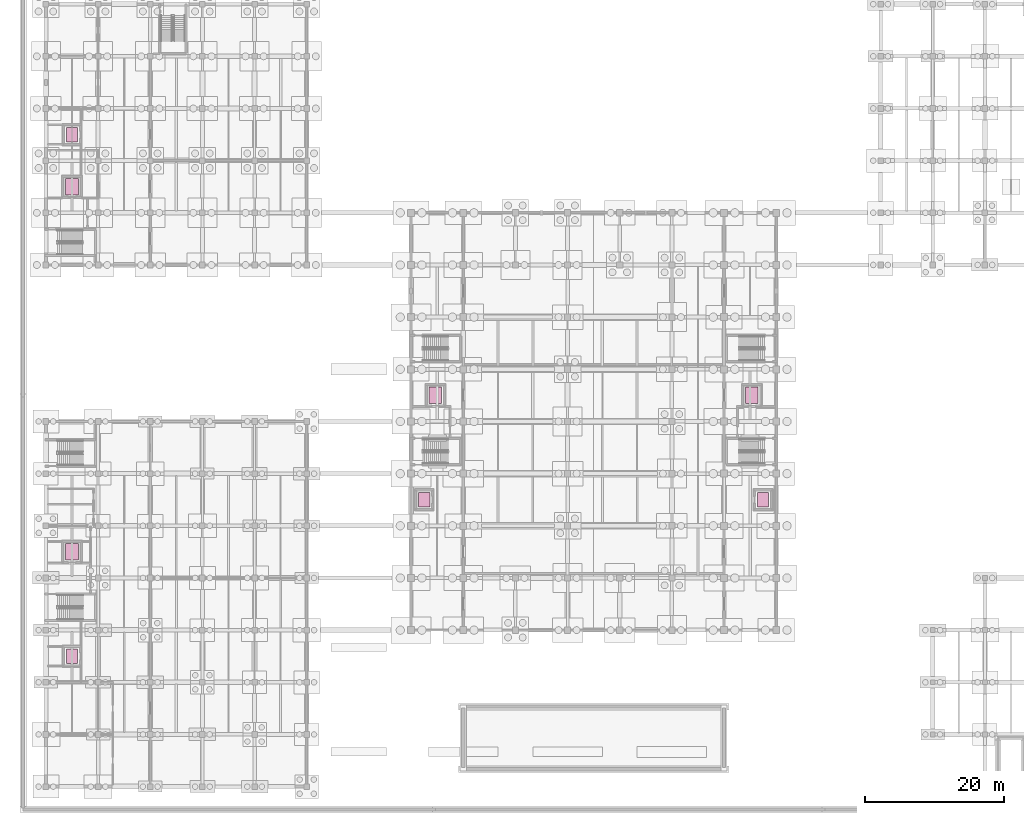
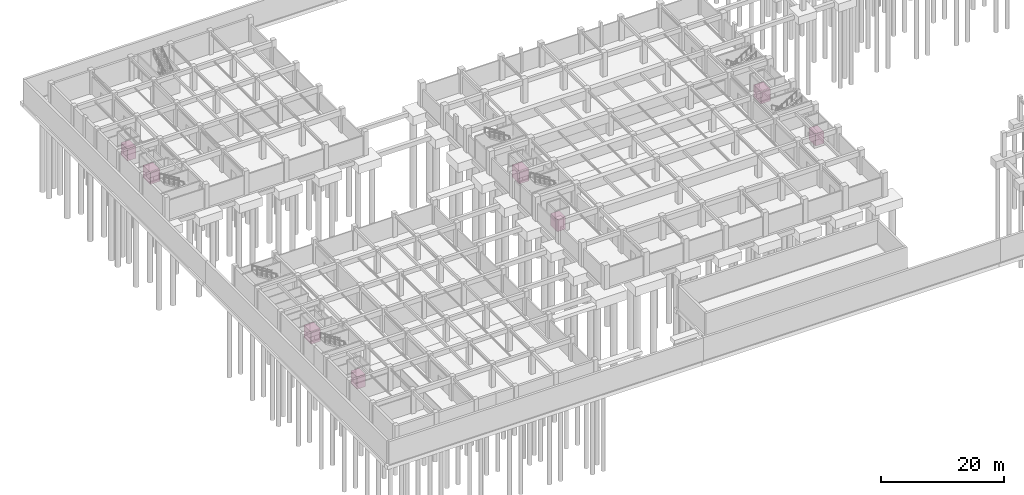
# One storey, part 38 of 38: 8 transport elements.
"""IFC4 building model written with IfcOpenShell, lengths in metres."""

from ifc_helpers import new_model, si_unit, direction, frame, origin, origin_2d, place, context, subcontext, project, spatial, rectangle, extrude, material, type_object, element, save


model = new_model("IFC4")

# Units and contexts
model_context = context("Model", 3, precision=1e-05, world=origin(), true_north=direction((0.0, 1.0)))
body_context = subcontext(model_context, "Body", "Model", "MODEL_VIEW")
ifc_project = project(units=[si_unit("LENGTHUNIT", "METRE"), si_unit("AREAUNIT", "SQUARE_METRE"), si_unit("VOLUMEUNIT", "CUBIC_METRE"), si_unit("PLANEANGLEUNIT", "RADIAN"), si_unit("MASSUNIT", "GRAM", prefix="KILO")], contexts=[model_context])

# Site, building, storey
site_placement = place(None, origin())
site = spatial("IfcSite", under=ifc_project, at=site_placement, CompositionType="ELEMENT")
building_placement = place(site_placement, origin())
building = spatial("IfcBuilding", under=site, at=building_placement, Name="Qasida Concert Hall", CompositionType="ELEMENT")
storey_placement = place(building_placement, frame((0.0, 0.0, -4.800048828125)))
storey = spatial("IfcBuildingStorey", under=building, at=storey_placement, Name="B1", CompositionType="ELEMENT", Elevation=-4.800048828125)

# Transport elements
ifc_material = material(Name="Brushed bronze and stainless steel lift car", Category="steel")
transport_element_type_1 = type_object("IfcTransportElementType", Name="LFT-FF", PredefinedType="ELEVATOR", material=ifc_material)
for number, where, z_axis, x_axis, name in (
    (1, (56.0, 56.25, 0.0), (0.0, 0.0, 1.0), (1.0, 0.0, 0.0), "Elevator LF-03"),
    (2, (101.5, 56.25, 0.0), (0.0, 0.0, 1.0), (1.0, 0.0, 0.0), "Elevator LF-04"),
    (3, (3.75, 33.75, 0.0), (0.0, 0.0, 1.0), (1.0, 0.0, 0.0), "Elevator LF-06"),
    (4, (3.75, 86.25, 0.0), (0.0, 0.0, 1.0), (1.0, 0.0, 0.0), "Elevator LF-08"),
):
    element("IfcTransportElement", number, at=place(storey_placement, frame(where, z_axis=z_axis, x_axis=x_axis)), inside=storey, type_object=transport_element_type_1, Name=name, PredefinedType="ELEVATOR", context=body_context, shape_type="SweptSolid", body=[
        extrude(rectangle(XDim=1.800048828125, YDim=2.39990234375, at=origin_2d()), origin(), (0.0, 0.0, 1.0), 2.39990234375),
    ])
transport_element_type_2 = type_object("IfcTransportElementType", Name="LFT-PAX", PredefinedType="ELEVATOR", material=ifc_material)
for number, where, z_axis, x_axis, name in (
    (5, (54.39990234375, 41.25, 0.0), (0.0, 0.0, 1.0), (1.0, 0.0, 0.0), "Elevator LF-01"),
    (6, (103.10009765625, 41.25, 0.0), (0.0, 0.0, 1.0), (1.0, 0.0, 0.0), "Elevator LF-02"),
    (7, (3.75, 18.75, 0.0), (0.0, 0.0, 1.0), (1.0, 0.0, 0.0), "Elevator LF-05"),
    (8, (3.75, 93.75, 0.0), (0.0, 0.0, 1.0), (1.0, 0.0, 0.0), "Elevator LF-07"),
):
    element("IfcTransportElement", number, at=place(storey_placement, frame(where, z_axis=z_axis, x_axis=x_axis)), inside=storey, type_object=transport_element_type_2, Name=name, PredefinedType="ELEVATOR", context=body_context, shape_type="SweptSolid", body=[
        extrude(rectangle(XDim=1.60009765625, YDim=2.10009765625, at=origin_2d()), origin(), (0.0, 0.0, 1.0), 2.39990234375),
    ])

save(model, "model.ifc")
